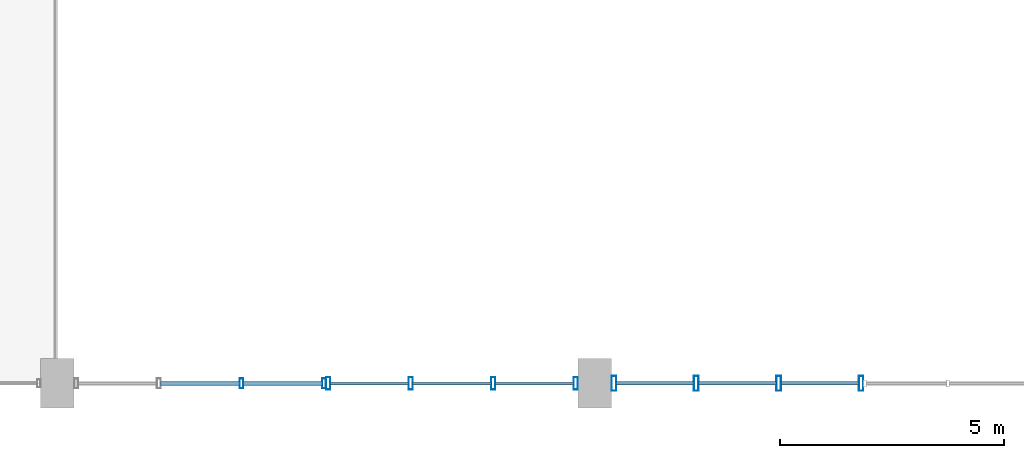
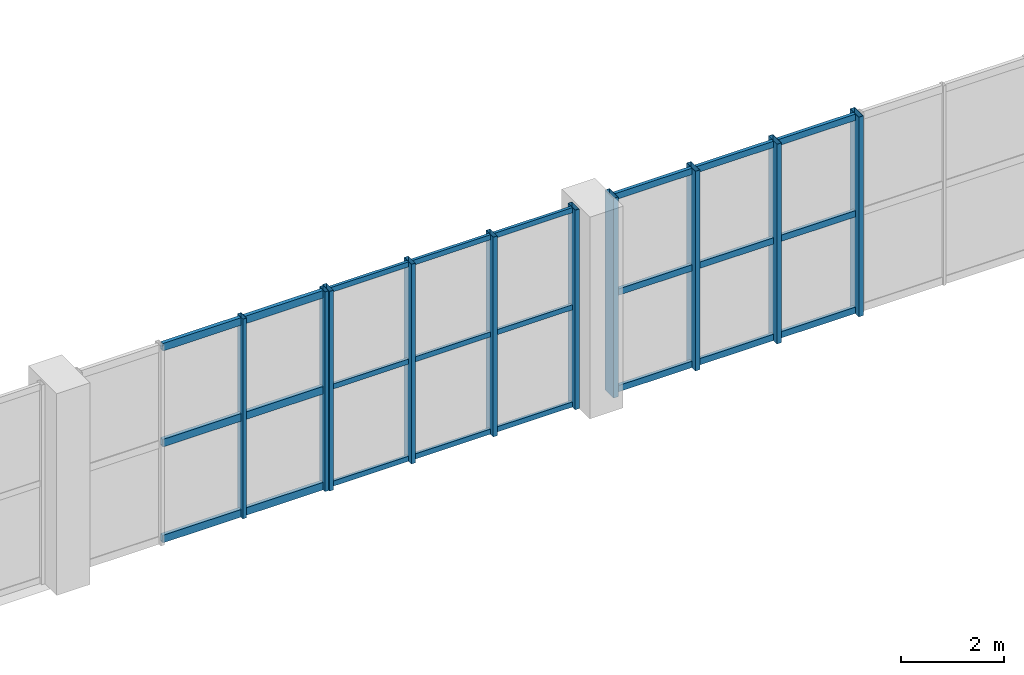
# One storey, part 51 of 106: 34 members, 3 elements without a shape of their own.
"""IFC4 building model written with IfcOpenShell, lengths in metres."""

from ifc_helpers import new_model, si_unit, direction, frame, origin, origin_2d, place, context, subcontext, project, spatial, hollow_rectangle, extrude, material, layer, layer_set, material_profile, profile_set, type_object, element, aggregate, save


model = new_model("IFC4")

# Units and contexts
model_context = context("Model", 3, precision=1e-05, world=origin(), true_north=direction((0.0, 1.0)))
body_context = subcontext(model_context, "Body", "Model", "MODEL_VIEW")
ifc_project = project(units=[si_unit("LENGTHUNIT", "METRE"), si_unit("AREAUNIT", "SQUARE_METRE"), si_unit("VOLUMEUNIT", "CUBIC_METRE"), si_unit("PLANEANGLEUNIT", "RADIAN"), si_unit("MASSUNIT", "GRAM", prefix="KILO"), si_unit("POWERUNIT", "WATT"), si_unit("THERMODYNAMICTEMPERATUREUNIT", "KELVIN")], contexts=[model_context])

# Site, building, storey
site_placement = place(None, origin())
site = spatial("IfcSite", under=ifc_project, at=site_placement, CompositionType="ELEMENT")
building_placement = place(site_placement, origin())
building = spatial("IfcBuilding", under=site, at=building_placement, Name="Kelmbourne Parkland Aquatics Centre", CompositionType="ELEMENT")
storey_placement = place(building_placement, frame((0.0, 0.0, 5.39990234375)))
storey = spatial("IfcBuildingStorey", under=building, at=storey_placement, Name="L01", CompositionType="ELEMENT", Elevation=5.39990234375)

# Curtain wall, members
ifc_material = material(Name="Thermally broken anodised aluminium framing", Category="aluminium")
ifc_layer_1 = layer(ifc_material, 0.179931640625)
ifc_layer_set_1 = layer_set([ifc_layer_1], Name="Thermally broken anodised aluminium framing")
curtain_wall_type_1 = type_object("IfcCurtainWallType", Name="CW-11", PredefinedType="NOTDEFINED", material=ifc_layer_set_1)
curtain_wall_1_placement = place(storey_placement, origin())
curtain_wall_1 = element("IfcCurtainWall", 1, at=curtain_wall_1_placement, inside=storey, type_object=curtain_wall_type_1, Name="Wave-hall clerestory curtain wall CW-L01-107", PredefinedType="NOTDEFINED")
ifc_material_profile_1 = material_profile(ifc_material, hollow_rectangle(XDim=0.0849609375, YDim=0.219970703125, WallThickness=0.0048828125, at=origin_2d()), Name="CW-M 85x220")
ifc_profile_set_1 = profile_set([ifc_material_profile_1], Name="Thermally broken anodised aluminium framing")
member_type_1 = type_object("IfcMemberType", Name="MB-MUL-3", PredefinedType="MULLION", material=ifc_profile_set_1)
member_1_placement = place(storey_placement, frame((144.111572265625, 0.800048828125, 0.0), z_axis=(0.0, 0.0, 1.0), x_axis=(1.0, 0.0, 0.0)))
member_1 = element("IfcMember", 2, at=member_1_placement, type_object=member_type_1, Name="CW-L01-107 mullion 2", PredefinedType="MULLION", context=body_context, shape_type="SweptSolid", body=[
    extrude(hollow_rectangle(XDim=0.0849609375, YDim=0.219970703125, WallThickness=0.0048828125, at=origin_2d()), origin(), (0.0, 0.0, 1.0), 4.75),
])
member_2_placement = place(storey_placement, frame((145.95751953125, 0.800048828125, 0.0), z_axis=(0.0, 0.0, 1.0), x_axis=(1.0, 0.0, 0.0)))
member_2 = element("IfcMember", 3, at=member_2_placement, type_object=member_type_1, Name="CW-L01-107 mullion 3", PredefinedType="MULLION", context=body_context, shape_type="SweptSolid", body=[
    extrude(hollow_rectangle(XDim=0.0849609375, YDim=0.219970703125, WallThickness=0.0048828125, at=origin_2d()), origin(), (0.0, 0.0, 1.0), 4.75),
])

ifc_layer_2 = layer(ifc_material, 0.179931640625)
ifc_layer_set_2 = layer_set([ifc_layer_2], Name="Thermally broken anodised aluminium framing")
curtain_wall_type_2 = type_object("IfcCurtainWallType", Name="CW-12", PredefinedType="NOTDEFINED", material=ifc_layer_set_2)
curtain_wall_2_placement = place(storey_placement, origin())
curtain_wall_2 = element("IfcCurtainWall", 4, at=curtain_wall_2_placement, inside=storey, type_object=curtain_wall_type_2, Name="Wave-hall clerestory curtain wall CW-L01-108", PredefinedType="NOTDEFINED")
ifc_material_profile_2 = material_profile(ifc_material, hollow_rectangle(XDim=0.094970703125, YDim=0.280029296875, WallThickness=0.005615234375, at=origin_2d()), Name="CW-M 95x280")
ifc_profile_set_2 = profile_set([ifc_material_profile_2], Name="Thermally broken anodised aluminium framing")
member_type_2 = type_object("IfcMemberType", Name="MB-MUL-4", PredefinedType="MULLION", material=ifc_profile_set_2)
member_3_placement = place(storey_placement, frame((146.047607421875, 0.800048828125, 0.0), z_axis=(0.0, 0.0, 1.0), x_axis=(1.0, 0.0, 0.0)))
member_3 = element("IfcMember", 5, at=member_3_placement, type_object=member_type_2, Name="CW-L01-108 mullion 0", PredefinedType="MULLION", context=body_context, shape_type="SweptSolid", body=[
    extrude(hollow_rectangle(XDim=0.094970703125, YDim=0.280029296875, WallThickness=0.005615234375, at=origin_2d()), origin(), (0.0, 0.0, 1.0), 4.75),
])
member_4_placement = place(storey_placement, frame((147.89013671875, 0.800048828125, 0.0), z_axis=(0.0, 0.0, 1.0), x_axis=(1.0, 0.0, 0.0)))
member_4 = element("IfcMember", 6, at=member_4_placement, type_object=member_type_2, Name="CW-L01-108 mullion 1", PredefinedType="MULLION", context=body_context, shape_type="SweptSolid", body=[
    extrude(hollow_rectangle(XDim=0.094970703125, YDim=0.280029296875, WallThickness=0.005615234375, at=origin_2d()), origin(), (0.0, 0.0, 1.0), 4.75),
])
member_5_placement = place(storey_placement, frame((149.73291015625, 0.800048828125, 0.0), z_axis=(0.0, 0.0, 1.0), x_axis=(1.0, 0.0, 0.0)))
member_5 = element("IfcMember", 7, at=member_5_placement, type_object=member_type_2, Name="CW-L01-108 mullion 2", PredefinedType="MULLION", context=body_context, shape_type="SweptSolid", body=[
    extrude(hollow_rectangle(XDim=0.094970703125, YDim=0.280029296875, WallThickness=0.005615234375, at=origin_2d()), origin(), (0.0, 0.0, 1.0), 4.75),
])
member_6_placement = place(storey_placement, frame((151.575439453125, 0.800048828125, 0.0), z_axis=(0.0, 0.0, 1.0), x_axis=(1.0, 0.0, 0.0)))
member_6 = element("IfcMember", 8, at=member_6_placement, type_object=member_type_2, Name="CW-L01-108 mullion 3", PredefinedType="MULLION", context=body_context, shape_type="SweptSolid", body=[
    extrude(hollow_rectangle(XDim=0.094970703125, YDim=0.280029296875, WallThickness=0.005615234375, at=origin_2d()), origin(), (0.0, 0.0, 1.0), 4.75),
])

ifc_layer_3 = layer(ifc_material, 0.179931640625)
ifc_layer_set_3 = layer_set([ifc_layer_3], Name="Thermally broken anodised aluminium framing")
curtain_wall_type_3 = type_object("IfcCurtainWallType", Name="CW-13", PredefinedType="NOTDEFINED", material=ifc_layer_set_3)
curtain_wall_3_placement = place(storey_placement, origin())
curtain_wall_3 = element("IfcCurtainWall", 9, at=curtain_wall_3_placement, inside=storey, type_object=curtain_wall_type_3, Name="Wave-hall clerestory curtain wall CW-L01-109", PredefinedType="NOTDEFINED")
ifc_material_profile_3 = material_profile(ifc_material, hollow_rectangle(XDim=0.10498046875, YDim=0.340087890625, WallThickness=0.006103515625, at=origin_2d()), Name="CW-M 105x340")
ifc_profile_set_3 = profile_set([ifc_material_profile_3], Name="Thermally broken anodised aluminium framing")
member_type_3 = type_object("IfcMemberType", Name="MB-MUL-5", PredefinedType="MULLION", material=ifc_profile_set_3)
member_7_placement = place(storey_placement, frame((152.429443359375, 0.800048828125, 0.0), z_axis=(0.0, 0.0, 1.0), x_axis=(1.0, 0.0, 0.0)))
member_7 = element("IfcMember", 10, at=member_7_placement, type_object=member_type_3, Name="CW-L01-109 mullion 0", PredefinedType="MULLION", context=body_context, shape_type="SweptSolid", body=[
    extrude(hollow_rectangle(XDim=0.10498046875, YDim=0.340087890625, WallThickness=0.006103515625, at=origin_2d()), origin(), (0.0, 0.0, 1.0), 4.75),
])
member_8_placement = place(storey_placement, frame((154.268798828125, 0.800048828125, 0.0), z_axis=(0.0, 0.0, 1.0), x_axis=(1.0, 0.0, 0.0)))
member_8 = element("IfcMember", 11, at=member_8_placement, type_object=member_type_3, Name="CW-L01-109 mullion 1", PredefinedType="MULLION", context=body_context, shape_type="SweptSolid", body=[
    extrude(hollow_rectangle(XDim=0.10498046875, YDim=0.340087890625, WallThickness=0.006103515625, at=origin_2d()), origin(), (0.0, 0.0, 1.0), 4.75),
])
member_9_placement = place(storey_placement, frame((156.108154296875, 0.800048828125, 0.0), z_axis=(0.0, 0.0, 1.0), x_axis=(1.0, 0.0, 0.0)))
member_9 = element("IfcMember", 12, at=member_9_placement, type_object=member_type_3, Name="CW-L01-109 mullion 2", PredefinedType="MULLION", context=body_context, shape_type="SweptSolid", body=[
    extrude(hollow_rectangle(XDim=0.10498046875, YDim=0.340087890625, WallThickness=0.006103515625, at=origin_2d()), origin(), (0.0, 0.0, 1.0), 4.75),
])
member_10_placement = place(storey_placement, frame((157.947509765625, 0.800048828125, 0.0), z_axis=(0.0, 0.0, 1.0), x_axis=(1.0, 0.0, 0.0)))
member_10 = element("IfcMember", 13, at=member_10_placement, type_object=member_type_3, Name="CW-L01-109 mullion 3", PredefinedType="MULLION", context=body_context, shape_type="SweptSolid", body=[
    extrude(hollow_rectangle(XDim=0.10498046875, YDim=0.340087890625, WallThickness=0.006103515625, at=origin_2d()), origin(), (0.0, 0.0, 1.0), 4.75),
])

# Member
ifc_material_profile_4 = material_profile(ifc_material, hollow_rectangle(XDim=0.06494140625, YDim=0.1201171875, WallThickness=0.00341796875, at=origin_2d()), Name="CW-T 65x120")
ifc_profile_set_4 = profile_set([ifc_material_profile_4], Name="Thermally broken anodised aluminium framing")
member_type_4 = type_object("IfcMemberType", Name="MB-TRN-1", PredefinedType="USERDEFINED", material=ifc_profile_set_4)
member_11_placement = place(storey_placement, frame((146.091064453125, 0.800048828125, 0.06298828125), z_axis=(1.0, 0.0, 0.0), x_axis=(0.0, 1.0, 0.0)))
member_11 = element("IfcMember", 14, at=member_11_placement, type_object=member_type_4, Name="CW-L01-108 transom 0-0", ObjectType="TRANSOM", PredefinedType="USERDEFINED", context=body_context, shape_type="SweptSolid", body=[
    extrude(hollow_rectangle(XDim=0.06494140625, YDim=0.1201171875, WallThickness=0.00341796875, at=origin_2d()), origin(), (0.0, 0.0, 1.0), 1.755615234375),
])

member_12_placement = place(storey_placement, frame((147.93359375, 0.800048828125, 0.06298828125), z_axis=(1.0, 0.0, 0.0), x_axis=(0.0, 1.0, 0.0)))
member_12 = element("IfcMember", 15, at=member_12_placement, type_object=member_type_4, Name="CW-L01-108 transom 0-1", ObjectType="TRANSOM", PredefinedType="USERDEFINED", context=body_context, shape_type="SweptSolid", body=[
    extrude(hollow_rectangle(XDim=0.06494140625, YDim=0.1201171875, WallThickness=0.00341796875, at=origin_2d()), origin(), (0.0, 0.0, 1.0), 1.755615234375),
])

member_13_placement = place(storey_placement, frame((149.7763671875, 0.800048828125, 0.06298828125), z_axis=(1.0, 0.0, 0.0), x_axis=(0.0, 1.0, 0.0)))
member_13 = element("IfcMember", 16, at=member_13_placement, type_object=member_type_4, Name="CW-L01-108 transom 0-2", ObjectType="TRANSOM", PredefinedType="USERDEFINED", context=body_context, shape_type="SweptSolid", body=[
    extrude(hollow_rectangle(XDim=0.06494140625, YDim=0.1201171875, WallThickness=0.00341796875, at=origin_2d()), origin(), (0.0, 0.0, 1.0), 1.755615234375),
])

member_14_placement = place(storey_placement, frame((146.091064453125, 0.800048828125, 2.375), z_axis=(1.0, 0.0, 0.0), x_axis=(0.0, 1.0, 0.0)))
member_14 = element("IfcMember", 17, at=member_14_placement, type_object=member_type_4, Name="CW-L01-108 transom 1-0", ObjectType="TRANSOM", PredefinedType="USERDEFINED", context=body_context, shape_type="SweptSolid", body=[
    extrude(hollow_rectangle(XDim=0.06494140625, YDim=0.1201171875, WallThickness=0.00341796875, at=origin_2d()), origin(), (0.0, 0.0, 1.0), 1.755615234375),
])

member_15_placement = place(storey_placement, frame((147.93359375, 0.800048828125, 2.375), z_axis=(1.0, 0.0, 0.0), x_axis=(0.0, 1.0, 0.0)))
member_15 = element("IfcMember", 18, at=member_15_placement, type_object=member_type_4, Name="CW-L01-108 transom 1-1", ObjectType="TRANSOM", PredefinedType="USERDEFINED", context=body_context, shape_type="SweptSolid", body=[
    extrude(hollow_rectangle(XDim=0.06494140625, YDim=0.1201171875, WallThickness=0.00341796875, at=origin_2d()), origin(), (0.0, 0.0, 1.0), 1.755615234375),
])

member_16_placement = place(storey_placement, frame((149.7763671875, 0.800048828125, 2.375), z_axis=(1.0, 0.0, 0.0), x_axis=(0.0, 1.0, 0.0)))
member_16 = element("IfcMember", 19, at=member_16_placement, type_object=member_type_4, Name="CW-L01-108 transom 1-2", ObjectType="TRANSOM", PredefinedType="USERDEFINED", context=body_context, shape_type="SweptSolid", body=[
    extrude(hollow_rectangle(XDim=0.06494140625, YDim=0.1201171875, WallThickness=0.00341796875, at=origin_2d()), origin(), (0.0, 0.0, 1.0), 1.755615234375),
])

member_17_placement = place(storey_placement, frame((146.091064453125, 0.800048828125, 4.68701171875), z_axis=(1.0, 0.0, 0.0), x_axis=(0.0, 1.0, 0.0)))
member_17 = element("IfcMember", 20, at=member_17_placement, type_object=member_type_4, Name="CW-L01-108 transom 2-0", ObjectType="TRANSOM", PredefinedType="USERDEFINED", context=body_context, shape_type="SweptSolid", body=[
    extrude(hollow_rectangle(XDim=0.06494140625, YDim=0.1201171875, WallThickness=0.00341796875, at=origin_2d()), origin(), (0.0, 0.0, 1.0), 1.755615234375),
])

member_18_placement = place(storey_placement, frame((147.93359375, 0.800048828125, 4.68701171875), z_axis=(1.0, 0.0, 0.0), x_axis=(0.0, 1.0, 0.0)))
member_18 = element("IfcMember", 21, at=member_18_placement, type_object=member_type_4, Name="CW-L01-108 transom 2-1", ObjectType="TRANSOM", PredefinedType="USERDEFINED", context=body_context, shape_type="SweptSolid", body=[
    extrude(hollow_rectangle(XDim=0.06494140625, YDim=0.1201171875, WallThickness=0.00341796875, at=origin_2d()), origin(), (0.0, 0.0, 1.0), 1.755615234375),
])

member_19_placement = place(storey_placement, frame((149.7763671875, 0.800048828125, 4.68701171875), z_axis=(1.0, 0.0, 0.0), x_axis=(0.0, 1.0, 0.0)))
member_19 = element("IfcMember", 22, at=member_19_placement, type_object=member_type_4, Name="CW-L01-108 transom 2-2", ObjectType="TRANSOM", PredefinedType="USERDEFINED", context=body_context, shape_type="SweptSolid", body=[
    extrude(hollow_rectangle(XDim=0.06494140625, YDim=0.1201171875, WallThickness=0.00341796875, at=origin_2d()), origin(), (0.0, 0.0, 1.0), 1.755615234375),
])

aggregate(curtain_wall_2, [member_3, member_4, member_5, member_6, member_11, member_12, member_13, member_14, member_15, member_16, member_17, member_18, member_19])

ifc_material_profile_5 = material_profile(ifc_material, hollow_rectangle(XDim=0.074951171875, YDim=0.14990234375, WallThickness=0.00390625, at=origin_2d()), Name="CW-T 75x150")
ifc_profile_set_5 = profile_set([ifc_material_profile_5], Name="Thermally broken anodised aluminium framing")
member_type_5 = type_object("IfcMemberType", Name="MB-TRN-2", PredefinedType="USERDEFINED", material=ifc_profile_set_5)
member_20_placement = place(storey_placement, frame((152.47802734375, 0.800048828125, 0.078125), z_axis=(1.0, 0.0, 0.0), x_axis=(0.0, 1.0, 0.0)))
member_20 = element("IfcMember", 23, at=member_20_placement, type_object=member_type_5, Name="CW-L01-109 transom 0-0", ObjectType="TRANSOM", PredefinedType="USERDEFINED", context=body_context, shape_type="SweptSolid", body=[
    extrude(hollow_rectangle(XDim=0.074951171875, YDim=0.14990234375, WallThickness=0.00390625, at=origin_2d()), origin(), (0.0, 0.0, 1.0), 1.7421875),
])

member_21_placement = place(storey_placement, frame((154.3173828125, 0.800048828125, 0.078125), z_axis=(1.0, 0.0, 0.0), x_axis=(0.0, 1.0, 0.0)))
member_21 = element("IfcMember", 24, at=member_21_placement, type_object=member_type_5, Name="CW-L01-109 transom 0-1", ObjectType="TRANSOM", PredefinedType="USERDEFINED", context=body_context, shape_type="SweptSolid", body=[
    extrude(hollow_rectangle(XDim=0.074951171875, YDim=0.14990234375, WallThickness=0.00390625, at=origin_2d()), origin(), (0.0, 0.0, 1.0), 1.742431640625),
])

member_22_placement = place(storey_placement, frame((156.15673828125, 0.800048828125, 0.078125), z_axis=(1.0, 0.0, 0.0), x_axis=(0.0, 1.0, 0.0)))
member_22 = element("IfcMember", 25, at=member_22_placement, type_object=member_type_5, Name="CW-L01-109 transom 0-2", ObjectType="TRANSOM", PredefinedType="USERDEFINED", context=body_context, shape_type="SweptSolid", body=[
    extrude(hollow_rectangle(XDim=0.074951171875, YDim=0.14990234375, WallThickness=0.00390625, at=origin_2d()), origin(), (0.0, 0.0, 1.0), 1.7421875),
])

member_23_placement = place(storey_placement, frame((152.47802734375, 0.800048828125, 2.375), z_axis=(1.0, 0.0, 0.0), x_axis=(0.0, 1.0, 0.0)))
member_23 = element("IfcMember", 26, at=member_23_placement, type_object=member_type_5, Name="CW-L01-109 transom 1-0", ObjectType="TRANSOM", PredefinedType="USERDEFINED", context=body_context, shape_type="SweptSolid", body=[
    extrude(hollow_rectangle(XDim=0.074951171875, YDim=0.14990234375, WallThickness=0.00390625, at=origin_2d()), origin(), (0.0, 0.0, 1.0), 1.7421875),
])

member_24_placement = place(storey_placement, frame((154.3173828125, 0.800048828125, 2.375), z_axis=(1.0, 0.0, 0.0), x_axis=(0.0, 1.0, 0.0)))
member_24 = element("IfcMember", 27, at=member_24_placement, type_object=member_type_5, Name="CW-L01-109 transom 1-1", ObjectType="TRANSOM", PredefinedType="USERDEFINED", context=body_context, shape_type="SweptSolid", body=[
    extrude(hollow_rectangle(XDim=0.074951171875, YDim=0.14990234375, WallThickness=0.00390625, at=origin_2d()), origin(), (0.0, 0.0, 1.0), 1.742431640625),
])

member_25_placement = place(storey_placement, frame((156.15673828125, 0.800048828125, 2.375), z_axis=(1.0, 0.0, 0.0), x_axis=(0.0, 1.0, 0.0)))
member_25 = element("IfcMember", 28, at=member_25_placement, type_object=member_type_5, Name="CW-L01-109 transom 1-2", ObjectType="TRANSOM", PredefinedType="USERDEFINED", context=body_context, shape_type="SweptSolid", body=[
    extrude(hollow_rectangle(XDim=0.074951171875, YDim=0.14990234375, WallThickness=0.00390625, at=origin_2d()), origin(), (0.0, 0.0, 1.0), 1.7421875),
])

member_26_placement = place(storey_placement, frame((152.47802734375, 0.800048828125, 4.672119140625), z_axis=(1.0, 0.0, 0.0), x_axis=(0.0, 1.0, 0.0)))
member_26 = element("IfcMember", 29, at=member_26_placement, type_object=member_type_5, Name="CW-L01-109 transom 2-0", ObjectType="TRANSOM", PredefinedType="USERDEFINED", context=body_context, shape_type="SweptSolid", body=[
    extrude(hollow_rectangle(XDim=0.074951171875, YDim=0.14990234375, WallThickness=0.00390625, at=origin_2d()), origin(), (0.0, 0.0, 1.0), 1.7421875),
])

member_27_placement = place(storey_placement, frame((154.3173828125, 0.800048828125, 4.672119140625), z_axis=(1.0, 0.0, 0.0), x_axis=(0.0, 1.0, 0.0)))
member_27 = element("IfcMember", 30, at=member_27_placement, type_object=member_type_5, Name="CW-L01-109 transom 2-1", ObjectType="TRANSOM", PredefinedType="USERDEFINED", context=body_context, shape_type="SweptSolid", body=[
    extrude(hollow_rectangle(XDim=0.074951171875, YDim=0.14990234375, WallThickness=0.00390625, at=origin_2d()), origin(), (0.0, 0.0, 1.0), 1.742431640625),
])

member_28_placement = place(storey_placement, frame((156.15673828125, 0.800048828125, 4.672119140625), z_axis=(1.0, 0.0, 0.0), x_axis=(0.0, 1.0, 0.0)))
member_28 = element("IfcMember", 31, at=member_28_placement, type_object=member_type_5, Name="CW-L01-109 transom 2-2", ObjectType="TRANSOM", PredefinedType="USERDEFINED", context=body_context, shape_type="SweptSolid", body=[
    extrude(hollow_rectangle(XDim=0.074951171875, YDim=0.14990234375, WallThickness=0.00390625, at=origin_2d()), origin(), (0.0, 0.0, 1.0), 1.7421875),
])

aggregate(curtain_wall_3, [member_7, member_8, member_9, member_10, member_20, member_21, member_22, member_23, member_24, member_25, member_26, member_27, member_28])

ifc_material_profile_6 = material_profile(ifc_material, hollow_rectangle(XDim=0.0849609375, YDim=0.179931640625, WallThickness=0.00439453125, at=origin_2d()), Name="CW-T 85x180")
ifc_profile_set_6 = profile_set([ifc_material_profile_6], Name="Thermally broken anodised aluminium framing")
member_type_6 = type_object("IfcMemberType", Name="MB-TRN-3", PredefinedType="USERDEFINED", material=ifc_profile_set_6)
member_29_placement = place(storey_placement, frame((142.303955078125, 0.800048828125, 0.093017578125), z_axis=(1.0, 0.0, 0.0), x_axis=(0.0, 1.0, 0.0)))
member_29 = element("IfcMember", 32, at=member_29_placement, type_object=member_type_6, Name="CW-L01-107 transom 0-1", ObjectType="TRANSOM", PredefinedType="USERDEFINED", context=body_context, shape_type="SweptSolid", body=[
    extrude(hollow_rectangle(XDim=0.0849609375, YDim=0.179931640625, WallThickness=0.00439453125, at=origin_2d()), origin(), (0.0, 0.0, 1.0), 1.76904296875),
])

member_30_placement = place(storey_placement, frame((144.14990234375, 0.800048828125, 0.093017578125), z_axis=(1.0, 0.0, 0.0), x_axis=(0.0, 1.0, 0.0)))
member_30 = element("IfcMember", 33, at=member_30_placement, type_object=member_type_6, Name="CW-L01-107 transom 0-2", ObjectType="TRANSOM", PredefinedType="USERDEFINED", context=body_context, shape_type="SweptSolid", body=[
    extrude(hollow_rectangle(XDim=0.0849609375, YDim=0.179931640625, WallThickness=0.00439453125, at=origin_2d()), origin(), (0.0, 0.0, 1.0), 1.76904296875),
])

member_31_placement = place(storey_placement, frame((142.303955078125, 0.800048828125, 2.375), z_axis=(1.0, 0.0, 0.0), x_axis=(0.0, 1.0, 0.0)))
member_31 = element("IfcMember", 34, at=member_31_placement, type_object=member_type_6, Name="CW-L01-107 transom 1-1", ObjectType="TRANSOM", PredefinedType="USERDEFINED", context=body_context, shape_type="SweptSolid", body=[
    extrude(hollow_rectangle(XDim=0.0849609375, YDim=0.179931640625, WallThickness=0.00439453125, at=origin_2d()), origin(), (0.0, 0.0, 1.0), 1.76904296875),
])

member_32_placement = place(storey_placement, frame((144.14990234375, 0.800048828125, 2.375), z_axis=(1.0, 0.0, 0.0), x_axis=(0.0, 1.0, 0.0)))
member_32 = element("IfcMember", 35, at=member_32_placement, type_object=member_type_6, Name="CW-L01-107 transom 1-2", ObjectType="TRANSOM", PredefinedType="USERDEFINED", context=body_context, shape_type="SweptSolid", body=[
    extrude(hollow_rectangle(XDim=0.0849609375, YDim=0.179931640625, WallThickness=0.00439453125, at=origin_2d()), origin(), (0.0, 0.0, 1.0), 1.76904296875),
])

member_33_placement = place(storey_placement, frame((142.303955078125, 0.800048828125, 4.656982421875), z_axis=(1.0, 0.0, 0.0), x_axis=(0.0, 1.0, 0.0)))
member_33 = element("IfcMember", 36, at=member_33_placement, type_object=member_type_6, Name="CW-L01-107 transom 2-1", ObjectType="TRANSOM", PredefinedType="USERDEFINED", context=body_context, shape_type="SweptSolid", body=[
    extrude(hollow_rectangle(XDim=0.0849609375, YDim=0.179931640625, WallThickness=0.00439453125, at=origin_2d()), origin(), (0.0, 0.0, 1.0), 1.76904296875),
])

member_34_placement = place(storey_placement, frame((144.14990234375, 0.800048828125, 4.656982421875), z_axis=(1.0, 0.0, 0.0), x_axis=(0.0, 1.0, 0.0)))
member_34 = element("IfcMember", 37, at=member_34_placement, type_object=member_type_6, Name="CW-L01-107 transom 2-2", ObjectType="TRANSOM", PredefinedType="USERDEFINED", context=body_context, shape_type="SweptSolid", body=[
    extrude(hollow_rectangle(XDim=0.0849609375, YDim=0.179931640625, WallThickness=0.00439453125, at=origin_2d()), origin(), (0.0, 0.0, 1.0), 1.76904296875),
])

aggregate(curtain_wall_1, [member_1, member_2, member_29, member_30, member_31, member_32, member_33, member_34])

save(model, "model.ifc")
